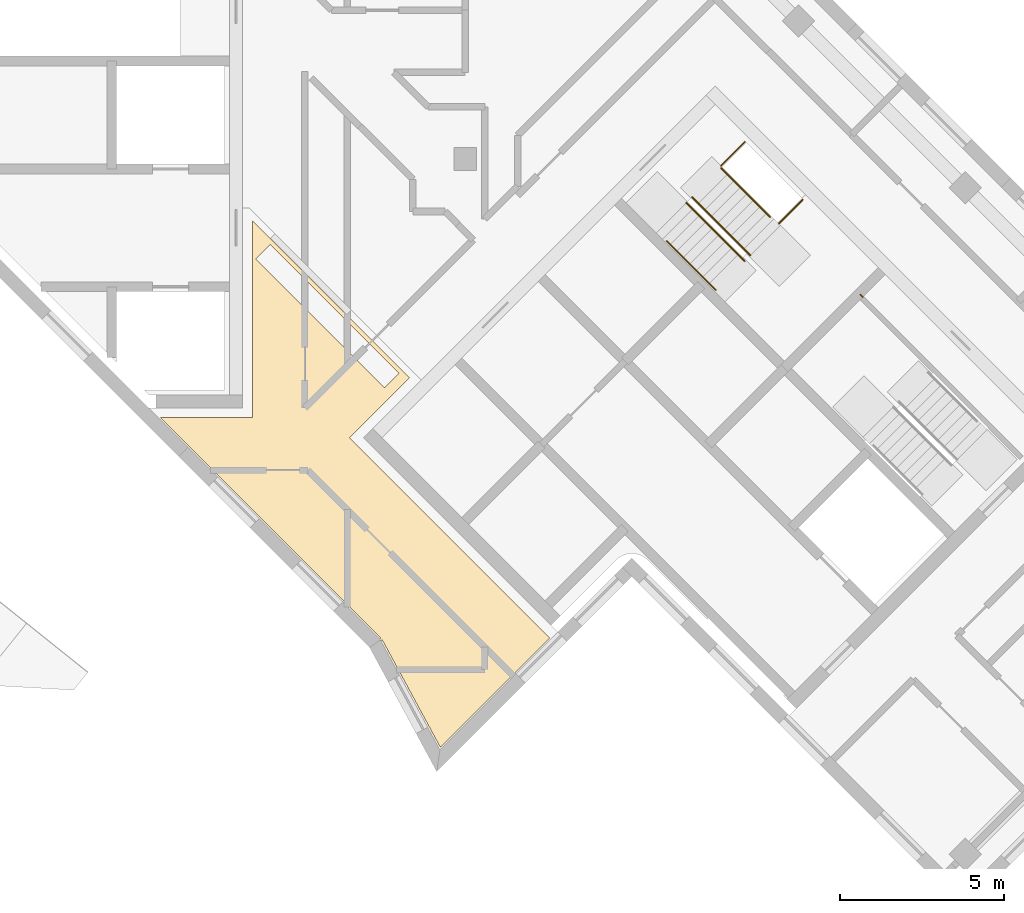
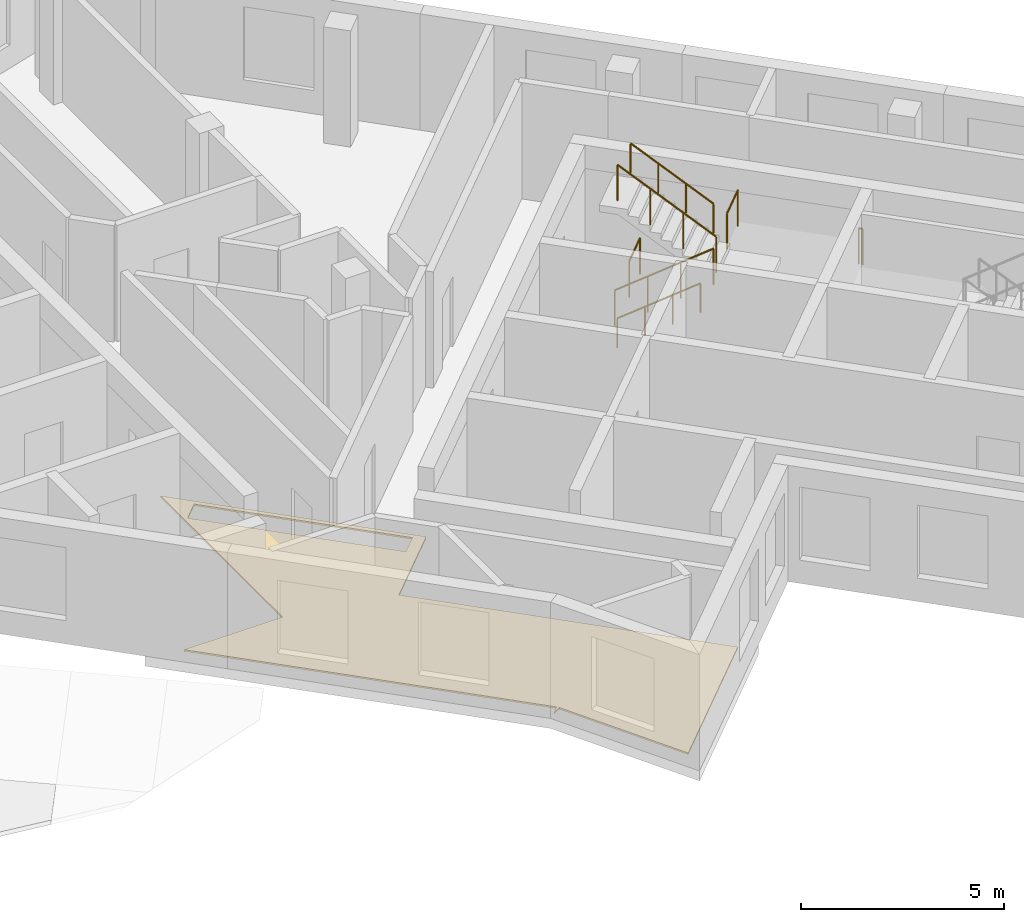
# One storey, part 7 of 8: 7 railings, 1 covering.
"""IFC4 building model written with IfcOpenShell, lengths in metres."""

from ifc_helpers import new_model, si_unit, direction, frame, origin, origin_2d, place, context, subcontext, project, spatial, polyline, circle, outline, extrude, material, layer, layer_set, type_object, element, save


model = new_model("IFC4")

# Units and contexts
model_context = context("Model", 3, precision=1e-05, world=origin(), true_north=direction((0.0, 1.0)))
body_context = subcontext(model_context, "Body", "Model", "MODEL_VIEW")
ifc_project = project(units=[si_unit("LENGTHUNIT", "METRE"), si_unit("AREAUNIT", "SQUARE_METRE"), si_unit("VOLUMEUNIT", "CUBIC_METRE"), si_unit("PLANEANGLEUNIT", "RADIAN"), si_unit("MASSUNIT", "GRAM", prefix="KILO")], contexts=[model_context])

# Site, building, storey
site_placement = place(None, origin())
site = spatial("IfcSite", under=ifc_project, at=site_placement, CompositionType="ELEMENT")
building_placement = place(site_placement, origin())
building = spatial("IfcBuilding", under=site, at=building_placement, Name="Windrow Commons", CompositionType="ELEMENT")
storey_placement = place(building_placement, frame((0.0, 0.0, 298.2)))
storey = spatial("IfcBuildingStorey", under=building, at=storey_placement, Name="L81", CompositionType="ELEMENT", Elevation=298.2)

# Railings
ifc_material_1 = material(Name="Steel S355", Category="steel")
railing_type_1 = type_object("IfcRailingType", Name="Core stair guard 1100", PredefinedType="GUARDRAIL", material=ifc_material_1)
railing_1_placement = place(storey_placement, frame((85.9529, 56.2669, 0.19)))
element("IfcRailing", 1, at=railing_1_placement, inside=storey, type_object=railing_type_1, Name="L81 ST-B1 stair guard 1", PredefinedType="GUARDRAIL", context=body_context, shape_type="SweptSolid", body=[
    extrude(circle(Radius=0.024, at=origin_2d()), frame((0.0, 0.0, 1.076), z_axis=(0.5851127904, -0.5851127904, 0.5615033793), x_axis=(0.7071067812, 0.7071067812, 0.0)), (0.0, 0.0, 1.0), 3.0454),
    extrude(circle(Radius=0.021, at=origin_2d()), origin(), (0.0, 0.0, 1.0), 1.052),
    extrude(circle(Radius=0.021, at=origin_2d()), frame((0.594, -0.594, 0.57)), (0.0, 0.0, 1.0), 1.052),
    extrude(circle(Radius=0.021, at=origin_2d()), frame((1.1879, -1.1879, 1.14)), (0.0, 0.0, 1.0), 1.052),
    extrude(circle(Radius=0.021, at=origin_2d()), frame((1.7819, -1.7819, 1.71)), (0.0, 0.0, 1.0), 1.052),
])
railing_2_placement = place(storey_placement, frame((87.9116, 54.6617, 2.09)))
element("IfcRailing", 2, at=railing_2_placement, inside=storey, type_object=railing_type_1, Name="L81 ST-B1 stair guard 2", PredefinedType="GUARDRAIL", context=body_context, shape_type="SweptSolid", body=[
    extrude(circle(Radius=0.024, at=origin_2d()), frame((0.0, 0.0, 1.076), z_axis=(-0.5851231427, 0.5851231427, 0.5614818036), x_axis=(-0.7071067812, -0.7071067812, 0.0)), (0.0, 0.0, 1.0), 3.0455),
    extrude(circle(Radius=0.021, at=origin_2d()), origin(), (0.0, 0.0, 1.0), 1.052),
    extrude(circle(Radius=0.021, at=origin_2d()), frame((-0.594, 0.594, 0.57)), (0.0, 0.0, 1.0), 1.052),
    extrude(circle(Radius=0.021, at=origin_2d()), frame((-1.188, 1.188, 1.14)), (0.0, 0.0, 1.0), 1.052),
    extrude(circle(Radius=0.021, at=origin_2d()), frame((-1.782, 1.782, 1.71)), (0.0, 0.0, 1.0), 1.052),
])
railing_3_placement = place(storey_placement, frame((87.0135, 57.3982, 0.0)))
element("IfcRailing", 3, at=railing_3_placement, inside=storey, type_object=railing_type_1, Name="L81 ST-B1 stair guard 3", PredefinedType="GUARDRAIL", context=body_context, shape_type="SweptSolid", body=[
    extrude(circle(Radius=0.024, at=origin_2d()), frame((0.0, 0.0, 1.076), z_axis=(0.7070582378, 0.7071553212, 0.0), x_axis=(-0.7071553212, 0.7070582378, 0.0)), (0.0, 0.0, 1.0), 1.03),
    extrude(circle(Radius=0.021, at=origin_2d()), origin(), (0.0, 0.0, 1.0), 1.052),
    extrude(circle(Radius=0.021, at=origin_2d()), frame((0.7283, 0.7284, 0.0)), (0.0, 0.0, 1.0), 1.052),
])
railing_4_placement = place(storey_placement, frame((88.7813, 55.6305, 1.9)))
element("IfcRailing", 4, at=railing_4_placement, inside=storey, type_object=railing_type_1, Name="L81 ST-B1 stair guard 4", PredefinedType="GUARDRAIL", context=body_context, shape_type="SweptSolid", body=[
    extrude(circle(Radius=0.024, at=origin_2d()), frame((0.0, 0.0, 1.076), z_axis=(0.7071067812, 0.7071067812, 0.0), x_axis=(-0.7071067812, 0.7071067812, 0.0)), (0.0, 0.0, 1.0), 1.03),
    extrude(circle(Radius=0.021, at=origin_2d()), origin(), (0.0, 0.0, 1.0), 1.052),
    extrude(circle(Radius=0.021, at=origin_2d()), frame((0.7283, 0.7283, 0.0)), (0.0, 0.0, 1.0), 1.052),
])
railing_5_placement = place(storey_placement, frame((91.3446, 53.3854, 1.9)))
element("IfcRailing", 5, at=railing_5_placement, inside=storey, type_object=railing_type_1, Name="L81 ST-B2 stair guard 3", PredefinedType="GUARDRAIL", context=body_context, shape_type="SweptSolid", body=[
    extrude(circle(Radius=0.024, at=origin_2d()), frame((0.0, 0.0, 1.076), z_axis=(-0.7076063266, 0.7066068826, 0.0), x_axis=(-0.7066068826, -0.7076063266, 0.0)), (0.0, 0.0, 1.0), 0.1001),
    extrude(circle(Radius=0.021, at=origin_2d()), origin(), (0.0, 0.0, 1.0), 1.052),
    extrude(circle(Radius=0.021, at=origin_2d()), frame((-0.0708, 0.0707, 0.0)), (0.0, 0.0, 1.0), 1.052),
])
ifc_material_2 = material(Name="Steel S355", Category="steel")
railing_type_2 = type_object("IfcRailingType", Name="Core stair handrail 900", PredefinedType="HANDRAIL", material=ifc_material_2)
railing_6_placement = place(storey_placement, frame((85.3518, 55.1001, 0.4614)))
element("IfcRailing", 6, at=railing_6_placement, inside=storey, type_object=railing_type_2, Name="L81 ST-B1 stair handrail 1", PredefinedType="HANDRAIL", context=body_context, shape_type="SweptSolid", body=[
    extrude(circle(Radius=0.024, at=origin_2d()), frame((0.0, 0.0, 0.876), z_axis=(0.5851275679, -0.5850885359, 0.561513254), x_axis=(0.7070831956, 0.707130366, 0.0)), (0.0, 0.0, 1.0), 2.562),
    extrude(circle(Radius=0.021, at=origin_2d()), origin(), (0.0, 0.0, 1.0), 0.852),
    extrude(circle(Radius=0.021, at=origin_2d()), frame((0.4997, -0.4997, 0.4795)), (0.0, 0.0, 1.0), 0.852),
    extrude(circle(Radius=0.021, at=origin_2d()), frame((0.9994, -0.9993, 0.9591)), (0.0, 0.0, 1.0), 0.852),
    extrude(circle(Radius=0.021, at=origin_2d()), frame((1.4991, -1.499, 1.4386)), (0.0, 0.0, 1.0), 0.852),
])
railing_7_placement = place(storey_placement, frame((88.5126, 55.8285, 2.3614)))
element("IfcRailing", 7, at=railing_7_placement, inside=storey, type_object=railing_type_2, Name="L81 ST-B1 stair handrail 2", PredefinedType="HANDRAIL", context=body_context, shape_type="SweptSolid", body=[
    extrude(circle(Radius=0.024, at=origin_2d()), frame((0.0, 0.0, 0.876), z_axis=(-0.5851275679, 0.5850885359, 0.561513254), x_axis=(-0.7070831956, -0.707130366, 0.0)), (0.0, 0.0, 1.0), 2.562),
    extrude(circle(Radius=0.021, at=origin_2d()), origin(), (0.0, 0.0, 1.0), 0.852),
    extrude(circle(Radius=0.021, at=origin_2d()), frame((-0.4997, 0.4997, 0.4795)), (0.0, 0.0, 1.0), 0.852),
    extrude(circle(Radius=0.021, at=origin_2d()), frame((-0.9994, 0.9993, 0.9591)), (0.0, 0.0, 1.0), 0.852),
    extrude(circle(Radius=0.021, at=origin_2d()), frame((-1.4991, 1.499, 1.4386)), (0.0, 0.0, 1.0), 0.852),
])

# Covering
ifc_material_3 = material(Name="Granite pavers on waterproofing membrane", Category="masonry")
ifc_layer = layer(ifc_material_3, 0.05)
ifc_layer_set = layer_set([ifc_layer], Name="Terrace roofing 50")
covering_type = type_object("IfcCoveringType", Name="Terrace roofing 50", PredefinedType="ROOFING", material=ifc_layer_set)
covering_placement = place(storey_placement, origin())
element("IfcCovering", 8, at=covering_placement, inside=storey, type_object=covering_type, Name="Terrace roofing TR-L81-2", PredefinedType="ROOFING", context=body_context, shape_type="SweptSolid", body=[
    extrude(outline(polyline([(77.4959, 50.9212), (75.6645, 49.0897), (81.781, 42.9733), (78.4389, 39.6312), (76.663, 42.9146), (76.4431, 42.7957), (76.6198, 42.9725), (70.7613, 48.831), (70.5845, 48.6542), (70.7613, 48.831), (69.8923, 49.7), (72.7, 49.7), (72.7, 55.717), (77.4959, 50.9212)]), holes=[polyline([(73.2392, 54.994), (72.8008, 54.5556), (76.7393, 50.6171), (77.1777, 51.0555), (73.2392, 54.994)])]), origin(), (0.0, 0.0, 1.0), 0.05),
])

save(model, "model.ifc")
